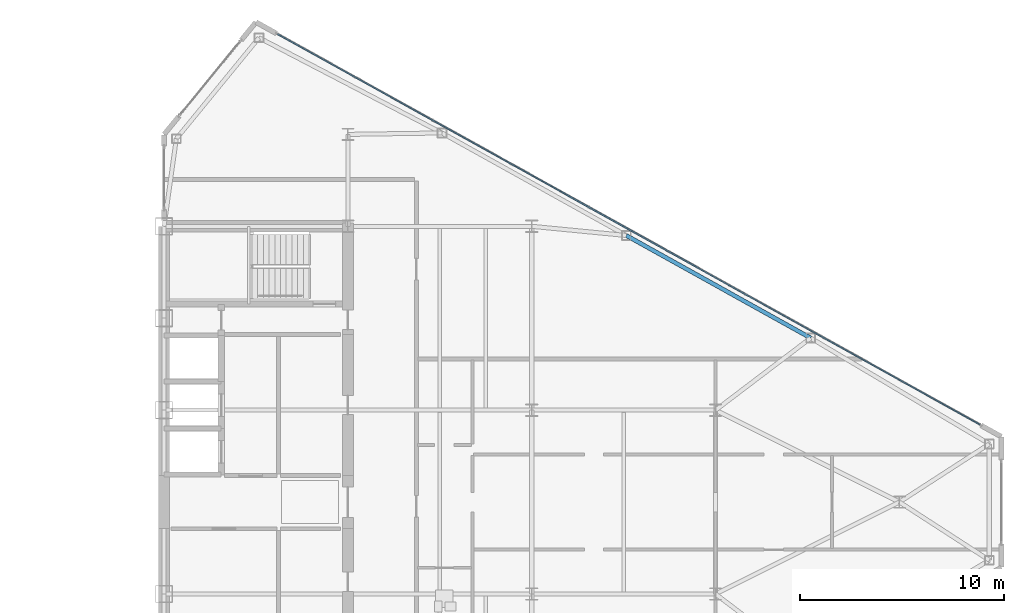
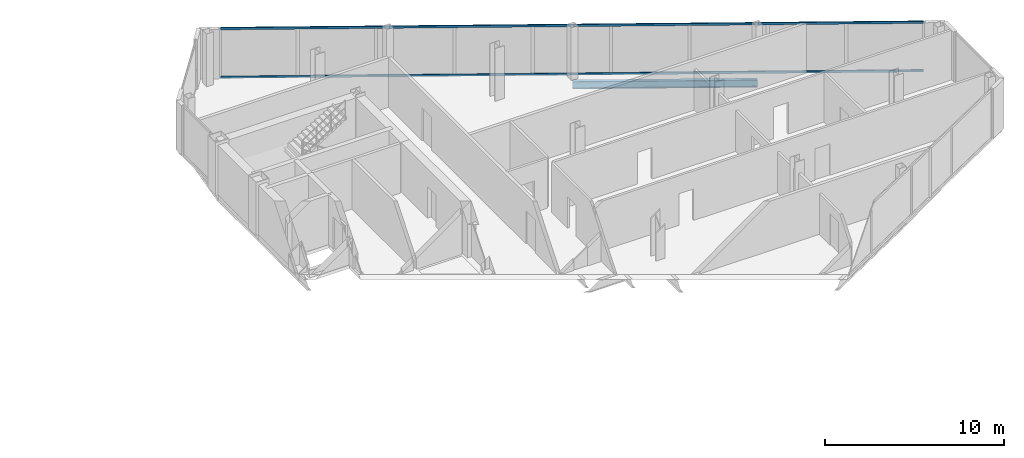
# One storey, part 16 of 26: 2 members, 1 beam, 1 element without a shape of its own.
"""IFC4 building model written with IfcOpenShell, lengths in metres."""

from ifc_helpers import new_model, si_unit, direction, frame, origin, origin_2d, place, context, subcontext, project, spatial, rectangle, i_section, extrude, source, transform, mapped, material, layer, layer_set, material_profile, profile_set, type_object, type_shapes, element, aggregate, save


model = new_model("IFC4")

# Units and contexts
model_context = context("Model", 3, precision=1e-05, world=origin(), true_north=direction((0.0, 1.0)))
body_context = subcontext(model_context, "Body", "Model", "MODEL_VIEW")
ifc_project = project(units=[si_unit("LENGTHUNIT", "METRE"), si_unit("AREAUNIT", "SQUARE_METRE"), si_unit("VOLUMEUNIT", "CUBIC_METRE"), si_unit("PLANEANGLEUNIT", "RADIAN"), si_unit("MASSUNIT", "GRAM", prefix="KILO")], contexts=[model_context])

# Site, building, storey
site_placement = place(None, origin())
site = spatial("IfcSite", under=ifc_project, at=site_placement, CompositionType="ELEMENT")
building_placement = place(site_placement, origin())
building = spatial("IfcBuilding", under=site, at=building_placement, Name="Seokmaru Belvedere", CompositionType="ELEMENT")
storey_placement = place(building_placement, frame((0.0, 0.0, 170.699951171875)))
storey = spatial("IfcBuildingStorey", under=building, at=storey_placement, Name="L45", CompositionType="ELEMENT", Elevation=170.699951171875)

# Beam
ifc_material_1 = material(Name="Steel SM355 (355 MPa)", Category="steel")
ifc_material_profile_1 = material_profile(ifc_material_1, i_section(OverallWidth=0.199951171875, OverallDepth=0.5, WebThickness=0.010009765625, FlangeThickness=0.01611328125, at=origin_2d()), Name="H-500x200x10x16")
ifc_profile_set_1 = profile_set([ifc_material_profile_1], Name="Steel SM355 (355 MPa)")
beam_type = type_object("IfcBeamType", Name="Perimeter Spandrel Beam H-500", PredefinedType="SPANDREL", material=ifc_profile_set_1)
shared_shape_1 = source(origin(), body_context, "Body", "SweptSolid", [
    extrude(i_section(OverallWidth=0.199951171875, OverallDepth=0.5, WebThickness=0.010009765625, FlangeThickness=0.01611328125, at=origin_2d()), origin(), (0.0, 0.0, 1.0), 10.327392578125),
])
type_shapes(beam_type, [shared_shape_1])
beam_placement = place(storey_placement, frame((50.129150390625, 13.051025390625, -0.469970703125), z_axis=(0.873934162361, -0.48604431882, 0.0), x_axis=(0.48604431882, 0.873934162361, 0.0)))
element("IfcBeam", 1, at=beam_placement, inside=storey, type_object=beam_type, Name="L45 E Faceted Flank Spandrel N-3", PredefinedType="SPANDREL", context=body_context, shape_type="MappedRepresentation", body=[
    mapped(shared_shape_1, transform((0.0, 0.0, 0.0), scale=1.0)),
])

# Curtain wall, members
ifc_material_2 = material(Name="Bronze Triple Insulating Glass", Category="glass")
ifc_layer = layer(ifc_material_2, 0.179931640625)
ifc_layer_set = layer_set([ifc_layer], Name="Bronze Triple Insulating Glass")
curtain_wall_type = type_object("IfcCurtainWallType", Name="High-Rise Wind-Corner Curtain Wall System CW-5", PredefinedType="NOTDEFINED", material=ifc_layer_set)
curtain_wall_placement = place(storey_placement, origin())
curtain_wall = element("IfcCurtainWall", 2, at=curtain_wall_placement, inside=storey, type_object=curtain_wall_type, Name="L45 Curtain Wall EF3", PredefinedType="NOTDEFINED")
ifc_material_3 = material(Name="Anodised Bronze Aluminium", Category="aluminium")
ifc_material_profile_2 = material_profile(ifc_material_3, rectangle(XDim=0.06494140625, YDim=0.14990234375, at=origin_2d()), Name="CW-T-65x150")
ifc_profile_set_2 = profile_set([ifc_material_profile_2], Name="Anodised Bronze Aluminium")
member_type = type_object("IfcMemberType", Name="Bronze Unitised Transom 65x150", PredefinedType="USERDEFINED", material=ifc_profile_set_2)
shared_shape_2 = source(origin(), body_context, "Body", "SweptSolid", [
    extrude(rectangle(XDim=0.06494140625, YDim=0.14990234375, at=origin_2d()), origin(), (0.0, 0.0, 1.0), 39.33544921875),
])
type_shapes(member_type, [shared_shape_2])
member_1_placement = place(storey_placement, frame((67.438232421875, 3.79052734375, 0.032470703125), z_axis=(-0.873932045133, 0.486048125693, 0.0), x_axis=(-0.486048125693, -0.873932045133, 0.0)))
member_1 = element("IfcMember", 3, at=member_1_placement, type_object=member_type, Name="CW:L45:EF3 Continuous Transom 1", ObjectType="TRANSOM", PredefinedType="USERDEFINED", context=body_context, shape_type="MappedRepresentation", body=[
    mapped(shared_shape_2, transform((0.0, 0.0, 0.0), scale=1.0)),
])
member_2_placement = place(storey_placement, frame((67.438232421875, 3.79052734375, 3.34765625), z_axis=(-0.873932045133, 0.486048125693, 0.0), x_axis=(-0.486048125693, -0.873932045133, 0.0)))
member_2 = element("IfcMember", 4, at=member_2_placement, type_object=member_type, Name="CW:L45:EF3 Continuous Transom 2", ObjectType="TRANSOM", PredefinedType="USERDEFINED", context=body_context, shape_type="MappedRepresentation", body=[
    mapped(shared_shape_2, transform((0.0, 0.0, 0.0), scale=1.0)),
])
aggregate(curtain_wall, [member_1, member_2])

save(model, "model.ifc")
